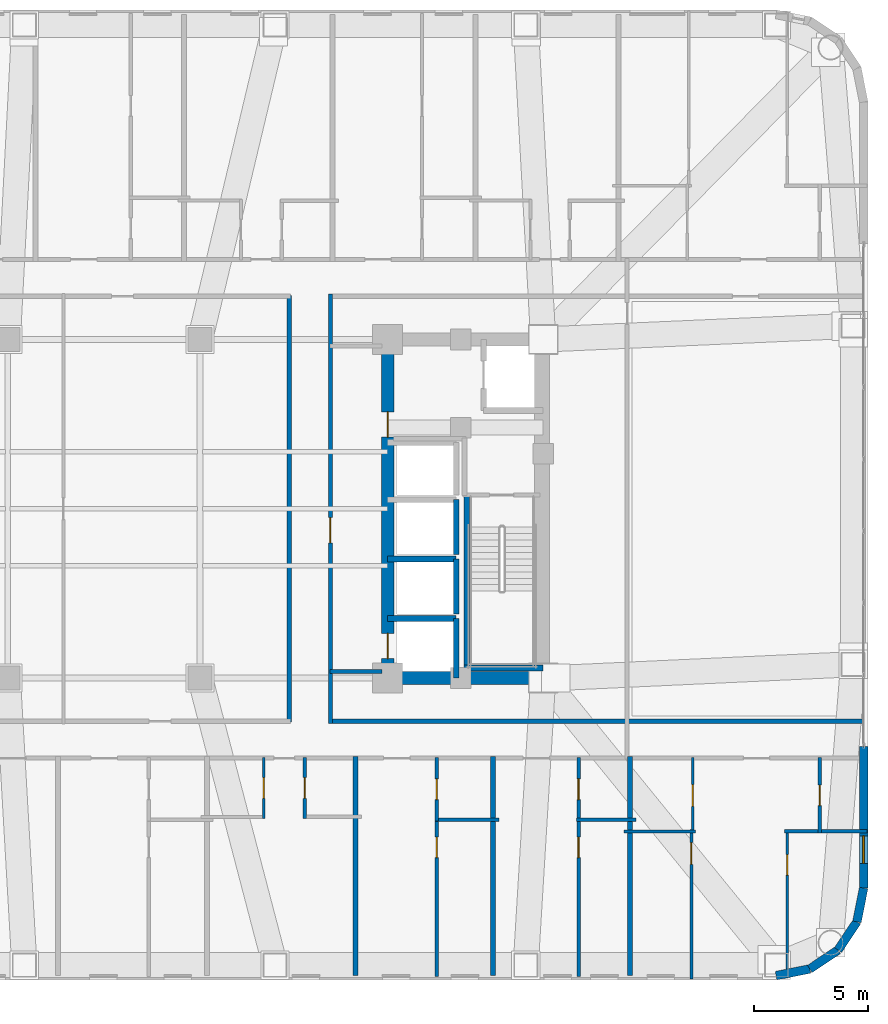
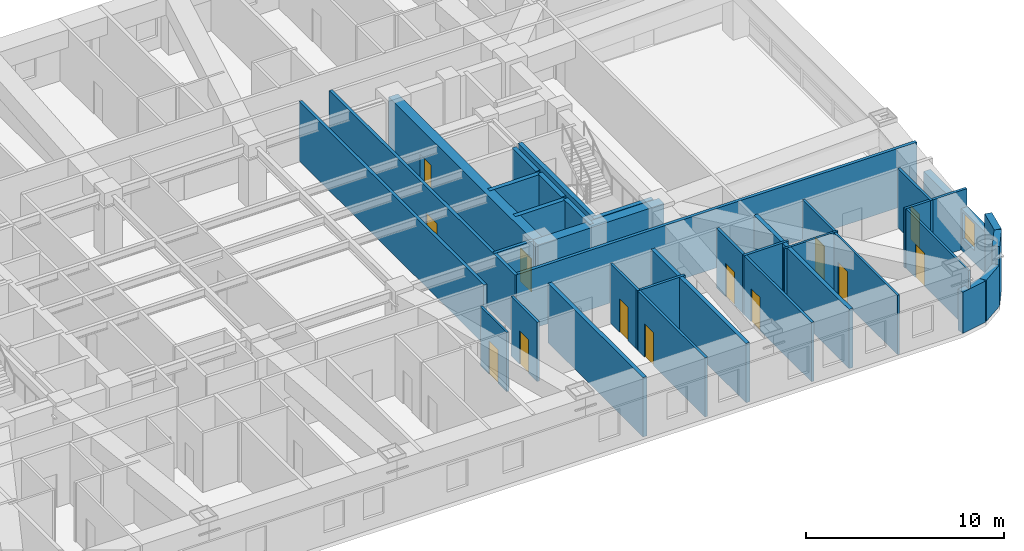
# One storey, part 11 of 16: 35 walls, 13 doors, 1 window, 14 openings.
"""IFC4 building model written with IfcOpenShell, lengths in metres."""

from ifc_helpers import new_model, si_unit, direction, frame, frame_2d, origin, place, context, subcontext, project, spatial, rectangle, extrude, material, layer, layer_set, type_object, element, fill, save


model = new_model("IFC4")

# Units and contexts
model_context = context("Model", 3, precision=1e-05, world=origin(), true_north=direction((0.0, 1.0)))
body_context = subcontext(model_context, "Body", "Model", "MODEL_VIEW")
ifc_project = project(units=[si_unit("LENGTHUNIT", "METRE"), si_unit("AREAUNIT", "SQUARE_METRE"), si_unit("VOLUMEUNIT", "CUBIC_METRE"), si_unit("PLANEANGLEUNIT", "RADIAN"), si_unit("MASSUNIT", "GRAM", prefix="KILO")], contexts=[model_context])

# Site, building, storey
site_placement = place(None, origin())
site = spatial("IfcSite", under=ifc_project, at=site_placement, CompositionType="ELEMENT")
building_placement = place(site_placement, origin())
building = spatial("IfcBuilding", under=site, at=building_placement, Name="Voryun Gate Residences", CompositionType="ELEMENT")
storey_placement = place(building_placement, frame((0.0, 0.0, 89.699951171875)))
storey = spatial("IfcBuildingStorey", under=building, at=storey_placement, Name="L21", CompositionType="ELEMENT", Elevation=89.699951171875)

# Wall
ifc_material_1 = material(Name="Concrete C60/75", Category="concrete")
ifc_layer_1 = layer(ifc_material_1, 0.550048828125, Name="CW_CORE_550")
ifc_layer_set_1 = layer_set([ifc_layer_1], Name="Concrete C60/75")
wall_type_1 = type_object("IfcWallType", Name="CW_CORE_550", PredefinedType="SHEAR", material=ifc_layer_set_1)
wall_1_placement = place(storey_placement, frame((12.125, -7.39990234375, 0.0), z_axis=(0.0, 0.0, 1.0), x_axis=(1.0, 0.0, 0.0)))
element("IfcWall", 1, at=wall_1_placement, inside=storey, type_object=wall_type_1, Name="L21 Core shear wall CW-L21-ES", PredefinedType="SHEAR", context=body_context, shape_type="SweptSolid", body=[
    extrude(rectangle(XDim=7.35009765625, YDim=0.550048828125, at=frame_2d((3.675048828125, 0.0))), origin(), (0.0, 0.0, 1.0), 3.650146484375),
])

# Wall, openings, doors
wall_2_placement = place(storey_placement, frame((12.39990234375, -7.39990234375, 0.0), z_axis=(0.0, 0.0, 1.0), x_axis=(0.0, 1.0, 0.0)))
wall_2 = element("IfcWall", 2, at=wall_2_placement, inside=storey, type_object=wall_type_1, Name="L21 Core shear wall CW-L21-EW", PredefinedType="SHEAR", context=body_context, shape_type="SweptSolid", body=[
    extrude(rectangle(XDim=14.7998046875, YDim=0.550048828125, at=frame_2d((7.39990234375, 0.0))), origin(), (0.0, 0.0, 1.0), 3.650146484375),
])
opening_1_placement = place(wall_2_placement, frame((0.85009765625, 0.0, 0.0)))
opening_1 = element("IfcOpeningElement", 3, at=opening_1_placement, cuts=wall_2, Name="Opening LD2", PredefinedType="OPENING", context=body_context, shape_type="SweptSolid", body=[
    extrude(rectangle(XDim=1.10009765625, YDim=2.050048828125, at=frame_2d((0.550048828125, 1.02490234375))), frame((0.0, 0.284912109375, 0.0), z_axis=(0.0, -1.0, 0.0), x_axis=(1.0, 0.0, 0.0)), (0.0, 0.0, 1.0), 0.570068359375),
])
opening_2_placement = place(wall_2_placement, frame((10.530029296875, 0.0, 0.0)))
opening_2 = element("IfcOpeningElement", 4, at=opening_2_placement, cuts=wall_2, Name="Opening D-FD60-2", PredefinedType="OPENING", context=body_context, shape_type="SweptSolid", body=[
    extrude(rectangle(XDim=1.10009765625, YDim=2.050048828125, at=frame_2d((0.550048828125, 1.02490234375))), frame((0.0, 0.284912109375, 0.0), z_axis=(0.0, -1.0, 0.0), x_axis=(1.0, 0.0, 0.0)), (0.0, 0.0, 1.0), 0.570068359375),
])
ifc_material_2 = material(Name="Painted steel fire door", Category="steel")
door_type_1 = type_object("IfcDoorType", Name="DR_FD60_FFLOB_1100", OperationType="NOTDEFINED", PredefinedType="DOOR", material=ifc_material_2)
door_1_placement = place(opening_2_placement, origin())
door_1 = element("IfcDoor", 5, at=door_1_placement, inside=storey, type_object=door_type_1, Name="Door DR-L21-CLOB-E", OperationType="SINGLE_SWING_RIGHT", OverallHeight=2.050048828125, OverallWidth=1.10009765625, PredefinedType="DOOR", context=body_context, shape_type="SweptSolid", body=[
    extrude(rectangle(XDim=1.10009765625, YDim=2.050048828125, at=frame_2d((0.550048828125, 1.02490234375))), frame((0.0, 0.02490234375, 0.0), z_axis=(0.0, -1.0, 0.0), x_axis=(1.0, 0.0, 0.0)), (0.0, 0.0, 1.0), 0.050048828125),
])
fill(opening_2, door_1)
ifc_material_3 = material(Name="Anodised aluminium", Category="aluminium")
door_type_2 = type_object("IfcDoorType", Name="DR_LD_PASS_1100", OperationType="NOTDEFINED", PredefinedType="DOOR", material=ifc_material_3)
door_2_placement = place(opening_1_placement, origin())
door_2 = element("IfcDoor", 6, at=door_2_placement, inside=storey, type_object=door_type_2, Name="Lift EL-P3 sliding landing door L21", OperationType="SLIDING_TO_LEFT", OverallHeight=2.050048828125, OverallWidth=1.10009765625, PredefinedType="DOOR", context=body_context, shape_type="SweptSolid", body=[
    extrude(rectangle(XDim=1.10009765625, YDim=2.050048828125, at=frame_2d((0.550048828125, 1.02490234375))), frame((0.0, 0.02490234375, 0.0), z_axis=(0.0, -1.0, 0.0), x_axis=(1.0, 0.0, 0.0)), (0.0, 0.0, 1.0), 0.050048828125),
])
fill(opening_1, door_2)

# Wall
ifc_material_4 = material(Name="Gypsum acoustic fireboard")
ifc_layer_2 = layer(ifc_material_4, 0.179931640625, Name="W_CORR_RATED_180")
ifc_layer_set_2 = layer_set([ifc_layer_2], Name="Gypsum acoustic fireboard")
wall_type_2 = type_object("IfcWallType", Name="W_CORR_RATED_180", PredefinedType="PARTITIONING", material=ifc_layer_set_2)
wall_3_placement = place(storey_placement, frame((9.8798828125, -7.1201171875, 0.0), z_axis=(0.0, 0.0, 1.0), x_axis=(1.0, 0.0, 0.0)))
element("IfcWall", 7, at=wall_3_placement, inside=storey, type_object=wall_type_2, Name="Partition wall WP-L21-PLBS-E", PredefinedType="PARTITIONING", context=body_context, shape_type="SweptSolid", body=[
    extrude(rectangle(XDim=2.27001953125, YDim=0.179931640625, at=frame_2d((1.135009765625, 0.0))), origin(), (0.0, 0.0, 1.0), 3.650146484375),
])

# Wall, opening, door
wall_4_placement = place(storey_placement, frame((9.89990234375, -9.3798828125, 0.0), z_axis=(0.0, 0.0, 1.0), x_axis=(0.0, 1.0, 0.0)))
wall_4 = element("IfcWall", 8, at=wall_4_placement, inside=storey, type_object=wall_type_2, Name="Partition wall WP-L21-PLBE-FULL", PredefinedType="PARTITIONING", context=body_context, shape_type="SweptSolid", body=[
    extrude(rectangle(XDim=18.759765625, YDim=0.179931640625, at=frame_2d((9.3798828125, 0.0))), origin(), (0.0, 0.0, 1.0), 3.650146484375),
])
opening_3_placement = place(wall_4_placement, frame((7.89208984375, 0.0, 0.0)))
opening_3 = element("IfcOpeningElement", 9, at=opening_3_placement, cuts=wall_4, Name="Opening D-FD60-2", PredefinedType="OPENING", context=body_context, shape_type="SweptSolid", body=[
    extrude(rectangle(XDim=1.10009765625, YDim=2.050048828125, at=frame_2d((0.550048828125, 1.02490234375))), frame((0.0, 0.099853515625, 0.0), z_axis=(0.0, -1.0, 0.0), x_axis=(1.0, 0.0, 0.0)), (0.0, 0.0, 1.0), 0.199951171875),
])
door_3_placement = place(opening_3_placement, origin())
door_3 = element("IfcDoor", 10, at=door_3_placement, inside=storey, type_object=door_type_1, Name="Door DR-L21-PLBE-COR", OperationType="SINGLE_SWING_RIGHT", OverallHeight=2.050048828125, OverallWidth=1.10009765625, PredefinedType="DOOR", context=body_context, shape_type="SweptSolid", body=[
    extrude(rectangle(XDim=1.10009765625, YDim=2.050048828125, at=frame_2d((0.550048828125, 1.02490234375))), frame((0.0, 0.02490234375, 0.0), z_axis=(0.0, -1.0, 0.0), x_axis=(1.0, 0.0, 0.0)), (0.0, 0.0, 1.0), 0.050048828125),
])
fill(opening_3, door_3)

# Walls
wall_5_placement = place(storey_placement, frame((9.8798828125, -9.2900390625, 0.0), z_axis=(0.0, 0.0, 1.0), x_axis=(1.0, 0.0, 0.0)))
element("IfcWall", 11, at=wall_5_placement, inside=storey, type_object=wall_type_2, Name="Partition wall WP-L21-CWING-ES", PredefinedType="PARTITIONING", context=body_context, shape_type="SweptSolid", body=[
    extrude(rectangle(XDim=23.330078125, YDim=0.179931640625, at=frame_2d((11.6650390625, 0.0))), origin(), (0.0, 0.0, 1.0), 3.650146484375),
])
wall_6_placement = place(storey_placement, frame((8.10009765625, -9.330078125, 0.0), z_axis=(0.0, 0.0, 1.0), x_axis=(0.0, 1.0, 0.0)))
element("IfcWall", 12, at=wall_6_placement, inside=storey, type_object=wall_type_2, Name="Partition wall WP-L21-Z1E", PredefinedType="PARTITIONING", context=body_context, shape_type="SweptSolid", body=[
    extrude(rectangle(XDim=18.66015625, YDim=0.179931640625, at=frame_2d((9.330078125, 0.0))), origin(), (0.0, 0.0, 1.0), 3.650146484375),
])

# Wall, opening, window
ifc_material_5 = material(Name="Granite masonry", Category="masonry")
ifc_layer_3 = layer(ifc_material_5, 0.3798828125, Name="W_EXT_GRANITE_380")
ifc_layer_set_3 = layer_set([ifc_layer_3], Name="Granite masonry")
wall_type_3 = type_object("IfcWallType", Name="W_EXT_GRANITE_380", PredefinedType="ELEMENTEDWALL", material=ifc_layer_set_3)
wall_7_placement = place(storey_placement, frame((33.2099609375, -10.39599609375, 0.0), z_axis=(0.0, 0.0, 1.0), x_axis=(0.0, -1.0, 0.0)))
wall_7 = element("IfcWall", 13, at=wall_7_placement, inside=storey, type_object=wall_type_3, Name="Exterior wall WEXT-L21-16B", PredefinedType="ELEMENTEDWALL", context=body_context, shape_type="SweptSolid", body=[
    extrude(rectangle(XDim=6.185302734375, YDim=0.3798828125, at=frame_2d((3.0927734375, 0.0))), origin(), (0.0, 0.0, 1.0), 2.5400390625),
])
opening_4_placement = place(wall_7_placement, frame((3.900634765625, 0.0, 0.75)))
opening_4 = element("IfcOpeningElement", 14, at=opening_4_placement, cuts=wall_7, Name="Opening WN6", PredefinedType="OPENING", context=body_context, shape_type="SweptSolid", body=[
    extrude(rectangle(XDim=1.199951171875, YDim=1.6298828125, at=frame_2d((0.60009765625, 0.81494140625))), frame((0.0, 0.199951171875, 0.0), z_axis=(0.0, -1.0, 0.0), x_axis=(1.0, 0.0, 0.0)), (0.0, 0.0, 1.0), 0.39990234375),
])
ifc_material_6 = material(Name="Laminated low-E glass", Category="glass")
window_type = type_object("IfcWindowType", Name="WN_POD_SLOT_1200", PartitioningType="SINGLE_PANEL", PredefinedType="WINDOW", material=ifc_material_6)
window_placement = place(opening_4_placement, origin())
window = element("IfcWindow", 15, at=window_placement, inside=storey, type_object=window_type, Name="Window WN-L21-DWFIX-30", OverallHeight=1.6298828125, OverallWidth=1.199951171875, PartitioningType="SINGLE_PANEL", PredefinedType="WINDOW", context=body_context, shape_type="SweptSolid", body=[
    extrude(rectangle(XDim=1.199951171875, YDim=1.6298828125, at=frame_2d((0.60009765625, 0.81494140625))), frame((0.0, 0.030029296875, 0.0), z_axis=(0.0, -1.0, 0.0), x_axis=(1.0, 0.0, 0.0)), (0.0, 0.0, 1.0), 0.06005859375),
])
fill(opening_4, window)

# Walls
wall_8_placement = place(storey_placement, frame((33.2099609375, -16.581298828125, 0.0), z_axis=(0.0, 0.0, 1.0), x_axis=(-0.195086038585, -0.980786132421, 0.0)))
element("IfcWall", 16, at=wall_8_placement, inside=storey, type_object=wall_type_3, Name="Exterior wall WEXT-L21-17", PredefinedType="ELEMENTEDWALL", context=body_context, shape_type="SweptSolid", body=[
    extrude(rectangle(XDim=1.504150390625, YDim=0.3798828125, at=frame_2d((0.751953125, 0.0))), origin(), (0.0, 0.0, 1.0), 3.650146484375),
])
wall_9_placement = place(storey_placement, frame((32.91650390625, -18.056640625, 0.0), z_axis=(0.0, 0.0, 1.0), x_axis=(-0.555610286119, -0.831442848281, 0.0)))
element("IfcWall", 17, at=wall_9_placement, inside=storey, type_object=wall_type_3, Name="Exterior wall WEXT-L21-18", PredefinedType="ELEMENTEDWALL", context=body_context, shape_type="SweptSolid", body=[
    extrude(rectangle(XDim=1.485107421875, YDim=0.3798828125, at=frame_2d((0.74267578125, 0.0))), origin(), (0.0, 0.0, 1.0), 3.650146484375),
])
wall_10_placement = place(storey_placement, frame((32.09130859375, -19.29150390625, 0.0), z_axis=(0.0, 0.0, 1.0), x_axis=(-0.831468045563, -0.555572577804, 0.0)))
element("IfcWall", 18, at=wall_10_placement, inside=storey, type_object=wall_type_3, Name="Exterior wall WEXT-L21-19", PredefinedType="ELEMENTEDWALL", context=body_context, shape_type="SweptSolid", body=[
    extrude(rectangle(XDim=1.48486328125, YDim=0.3798828125, at=frame_2d((0.742431640625, 0.0))), origin(), (0.0, 0.0, 1.0), 2.5400390625),
])
wall_11_placement = place(storey_placement, frame((30.856689453125, -20.116455078125, 0.0), z_axis=(0.0, 0.0, 1.0), x_axis=(-0.980786132421, -0.195086038585, 0.0)))
element("IfcWall", 19, at=wall_11_placement, inside=storey, type_object=wall_type_3, Name="Exterior wall WEXT-L21-20", PredefinedType="ELEMENTEDWALL", context=body_context, shape_type="SweptSolid", body=[
    extrude(rectangle(XDim=1.504150390625, YDim=0.3798828125, at=frame_2d((0.751953125, 0.0))), origin(), (0.0, 0.0, 1.0), 2.5400390625),
])
ifc_material_7 = material(Name="Concrete C40/50", Category="concrete")
ifc_layer_4 = layer(ifc_material_7, 0.219970703125, Name="W_PARTY_ACOUSTIC_220")
ifc_layer_set_4 = layer_set([ifc_layer_4], Name="Concrete C40/50")
wall_type_4 = type_object("IfcWallType", Name="W_PARTY_ACOUSTIC_220", PredefinedType="PARTITIONING", material=ifc_layer_set_4)
for number, where, z_axis, x_axis, name in (
    (20, (11.0, -20.409912109375, 0.0), (0.0, 0.0, 1.0), (0.0, 1.0, 0.0), "Partition wall WP-L21-SPTY-6"),
    (21, (17.0, -20.409912109375, 0.0), (0.0, 0.0, 1.0), (0.0, 1.0, 0.0), "Partition wall WP-L21-SPTY-7"),
    (22, (23.0, -20.409912109375, 0.0), (0.0, 0.0, 1.0), (0.0, 1.0, 0.0), "Partition wall WP-L21-SPTY-8"),
):
    element("IfcWall", number, at=place(storey_placement, frame(where, z_axis=z_axis, x_axis=x_axis)), inside=storey, type_object=wall_type_4, Name=name, PredefinedType="PARTITIONING", context=body_context, shape_type="SweptSolid", body=[
        extrude(rectangle(XDim=9.58984375, YDim=0.219970703125, at=frame_2d((4.794921875, 0.0))), origin(), (0.0, 0.0, 1.0), 3.650146484375),
    ])
ifc_material_8 = material(Name="Concrete C50/60", Category="concrete")
ifc_layer_5 = layer(ifc_material_8, 0.25, Name="W_SHAFT_RC250")
ifc_layer_set_5 = layer_set([ifc_layer_5], Name="Concrete C50/60")
wall_type_5 = type_object("IfcWallType", Name="W_SHAFT_RC250", PredefinedType="SOLIDWALL", material=ifc_layer_set_5)
wall_12_placement = place(storey_placement, frame((15.860107421875, -7.0849609375, 0.0), z_axis=(0.0, 0.0, 1.0), x_axis=(0.0, 1.0, 0.0)))
element("IfcWall", 23, at=wall_12_placement, inside=storey, type_object=wall_type_5, Name="L21 Stair shaft structural wall E-STL", PredefinedType="SOLIDWALL", context=body_context, shape_type="SweptSolid", body=[
    extrude(rectangle(XDim=7.68505859375, YDim=0.25, at=frame_2d((3.842529296875, 0.0))), origin(), (0.0, 0.0, 1.0), 3.650146484375),
])
wall_13_placement = place(storey_placement, frame((15.739990234375, -6.965087890625, 0.0), z_axis=(0.0, 0.0, 1.0), x_axis=(1.0, 0.0, 0.0)))
element("IfcWall", 24, at=wall_13_placement, inside=storey, type_object=wall_type_5, Name="L21 Stair shaft structural wall E-STS", PredefinedType="SOLIDWALL", context=body_context, shape_type="SweptSolid", body=[
    extrude(rectangle(XDim=3.4599609375, YDim=0.25, at=frame_2d((1.72998046875, 0.0))), origin(), (0.0, 0.0, 1.0), 3.650146484375),
])
wall_14_placement = place(storey_placement, frame((15.39990234375, -7.39990234375, 0.0), z_axis=(0.0, 0.0, 1.0), x_axis=(0.0, 1.0, 0.0)))
element("IfcWall", 25, at=wall_14_placement, inside=storey, type_object=wall_type_5, Name="Lift shaft wall WSH-L21-EL-P3-E", PredefinedType="SOLIDWALL", context=body_context, shape_type="SweptSolid", body=[
    extrude(rectangle(XDim=2.599853515625, YDim=0.25, at=frame_2d((1.2998046875, 0.0))), origin(), (0.0, 0.0, 1.0), 3.650146484375),
])
wall_15_placement = place(storey_placement, frame((15.39990234375, -4.800048828125, 0.0), z_axis=(0.0, 0.0, 1.0), x_axis=(-1.0, 0.0, 0.0)))
element("IfcWall", 26, at=wall_15_placement, inside=storey, type_object=wall_type_5, Name="Lift shaft wall WSH-L21-EL-P3-N", PredefinedType="SOLIDWALL", context=body_context, shape_type="SweptSolid", body=[
    extrude(rectangle(XDim=3.0, YDim=0.25, at=frame_2d((1.5, 0.0))), origin(), (0.0, 0.0, 1.0), 3.650146484375),
])
wall_16_placement = place(storey_placement, frame((15.39990234375, -4.60009765625, 0.0), z_axis=(0.0, 0.0, 1.0), x_axis=(0.0, 1.0, 0.0)))
element("IfcWall", 27, at=wall_16_placement, inside=storey, type_object=wall_type_5, Name="Lift shaft wall WSH-L21-EL-P5-E", PredefinedType="SOLIDWALL", context=body_context, shape_type="SweptSolid", body=[
    extrude(rectangle(XDim=2.400146484375, YDim=0.25, at=frame_2d((1.2001953125, 0.0))), origin(), (0.0, 0.0, 1.0), 3.650146484375),
])
wall_17_placement = place(storey_placement, frame((15.39990234375, -2.199951171875, 0.0), z_axis=(0.0, 0.0, 1.0), x_axis=(-1.0, 0.0, 0.0)))
element("IfcWall", 28, at=wall_17_placement, inside=storey, type_object=wall_type_5, Name="Lift shaft wall WSH-L21-EL-P5-N", PredefinedType="SOLIDWALL", context=body_context, shape_type="SweptSolid", body=[
    extrude(rectangle(XDim=3.0, YDim=0.25, at=frame_2d((1.5, 0.0))), origin(), (0.0, 0.0, 1.0), 3.650146484375),
])
wall_18_placement = place(storey_placement, frame((15.39990234375, -2.0, 0.0), z_axis=(0.0, 0.0, 1.0), x_axis=(0.0, 1.0, 0.0)))
element("IfcWall", 29, at=wall_18_placement, inside=storey, type_object=wall_type_5, Name="Lift shaft wall WSH-L21-EL-P6-E", PredefinedType="SOLIDWALL", context=body_context, shape_type="SweptSolid", body=[
    extrude(rectangle(XDim=2.39990234375, YDim=0.25, at=frame_2d((1.199951171875, 0.0))), origin(), (0.0, 0.0, 1.0), 3.650146484375),
])

# Wall, opening, door
ifc_material_9 = material(Name="Gypsum acoustic partition")
ifc_layer_6 = layer(ifc_material_9, 0.125, Name="W_UNIT_PART_125")
ifc_layer_set_6 = layer_set([ifc_layer_6], Name="Gypsum acoustic partition")
wall_type_6 = type_object("IfcWallType", Name="W_UNIT_PART_125", PredefinedType="PARTITIONING", material=ifc_layer_set_6)
wall_19_placement = place(storey_placement, frame((6.98388671875, -13.530029296875, 0.0), z_axis=(0.0, 0.0, 1.0), x_axis=(0.0, 1.0, 0.0)))
wall_19 = element("IfcWall", 30, at=wall_19_placement, inside=storey, type_object=wall_type_6, Name="Partition wall WP-L21-S6-CVK", PredefinedType="PARTITIONING", context=body_context, shape_type="SweptSolid", body=[
    extrude(rectangle(XDim=2.650146484375, YDim=0.125, at=frame_2d((1.3251953125, 0.0))), origin(), (0.0, 0.0, 1.0), 3.650146484375),
])
opening_5_placement = place(wall_19_placement, frame((0.875, 0.0, 0.0)))
opening_5 = element("IfcOpeningElement", 31, at=opening_5_placement, cuts=wall_19, Name="Opening D-INT-2", PredefinedType="OPENING", context=body_context, shape_type="SweptSolid", body=[
    extrude(rectangle(XDim=0.89990234375, YDim=2.050048828125, at=frame_2d((0.449951171875, 1.02490234375))), frame((0.0, 0.072509765625, 0.0), z_axis=(0.0, -1.0, 0.0), x_axis=(1.0, 0.0, 0.0)), (0.0, 0.0, 1.0), 0.14501953125),
])
ifc_material_10 = material(Name="Architectural oak veneer")
door_type_3 = type_object("IfcDoorType", Name="DR_INT_BATH_900", OperationType="NOTDEFINED", PredefinedType="DOOR", material=ifc_material_10)
door_4_placement = place(opening_5_placement, origin())
door_4 = element("IfcDoor", 32, at=door_4_placement, inside=storey, type_object=door_type_3, Name="Door DR-L21-S6-DK", OperationType="SINGLE_SWING_LEFT", OverallHeight=2.050048828125, OverallWidth=0.89990234375, PredefinedType="DOOR", context=body_context, shape_type="SweptSolid", body=[
    extrude(rectangle(XDim=0.89990234375, YDim=2.050048828125, at=frame_2d((0.449951171875, 1.02490234375))), frame((0.0, 0.02490234375, 0.0), z_axis=(0.0, -1.0, 0.0), x_axis=(1.0, 0.0, 0.0)), (0.0, 0.0, 1.0), 0.050048828125),
])
fill(opening_5, door_4)

wall_20_placement = place(storey_placement, frame((25.680908203125, -20.56005859375, 0.0), z_axis=(0.0, 0.0, 1.0), x_axis=(0.0, 1.0, 0.0)))
wall_20 = element("IfcWall", 33, at=wall_20_placement, inside=storey, type_object=wall_type_6, Name="Partition wall WP-L21-S9-OVL", PredefinedType="PARTITIONING", context=body_context, shape_type="SweptSolid", body=[
    extrude(rectangle(XDim=6.5380859375, YDim=0.125, at=frame_2d((3.26904296875, 0.0))), origin(), (0.0, 0.0, 1.0), 3.650146484375),
])
opening_6_placement = place(wall_20_placement, frame((5.016845703125, 0.0, 0.0)))
opening_6 = element("IfcOpeningElement", 34, at=opening_6_placement, cuts=wall_20, Name="Opening D-INT-1", PredefinedType="OPENING", context=body_context, shape_type="SweptSolid", body=[
    extrude(rectangle(XDim=0.949951171875, YDim=2.050048828125, at=frame_2d((0.47509765625, 1.02490234375))), frame((0.0, 0.072509765625, 0.0), z_axis=(0.0, -1.0, 0.0), x_axis=(1.0, 0.0, 0.0)), (0.0, 0.0, 1.0), 0.14501953125),
])
ifc_material_11 = material(Name="Architectural oak veneer")
door_type_4 = type_object("IfcDoorType", Name="DR_INT_ROOM_950", OperationType="NOTDEFINED", PredefinedType="DOOR", material=ifc_material_11)
door_5_placement = place(opening_6_placement, origin())
door_5 = element("IfcDoor", 35, at=door_5_placement, inside=storey, type_object=door_type_4, Name="Door DR-L21-S9-DB2", OperationType="SINGLE_SWING_LEFT", OverallHeight=2.050048828125, OverallWidth=0.949951171875, PredefinedType="DOOR", context=body_context, shape_type="SweptSolid", body=[
    extrude(rectangle(XDim=0.949951171875, YDim=2.050048828125, at=frame_2d((0.47509765625, 1.02490234375))), frame((0.0, 0.02490234375, 0.0), z_axis=(0.0, -1.0, 0.0), x_axis=(1.0, 0.0, 0.0)), (0.0, 0.0, 1.0), 0.050048828125),
])
fill(opening_6, door_5)

wall_21_placement = place(storey_placement, frame((29.867919921875, -20.466064453125, 0.0), z_axis=(0.0, 0.0, 1.0), x_axis=(0.0, 1.0, 0.0)))
wall_21 = element("IfcWall", 36, at=wall_21_placement, inside=storey, type_object=wall_type_6, Name="Partition wall WP-L21-S9-OVR", PredefinedType="PARTITIONING", context=body_context, shape_type="SweptSolid", body=[
    extrude(rectangle(XDim=6.444091796875, YDim=0.125, at=frame_2d((3.22216796875, 0.0))), origin(), (0.0, 0.0, 1.0), 3.650146484375),
])
opening_7_placement = place(wall_21_placement, frame((4.447509765625, 0.0, 0.0)))
opening_7 = element("IfcOpeningElement", 37, at=opening_7_placement, cuts=wall_21, Name="Opening D-INT-2", PredefinedType="OPENING", context=body_context, shape_type="SweptSolid", body=[
    extrude(rectangle(XDim=0.89990234375, YDim=2.050048828125, at=frame_2d((0.449951171875, 1.02490234375))), frame((0.0, 0.072509765625, 0.0), z_axis=(0.0, -1.0, 0.0), x_axis=(1.0, 0.0, 0.0)), (0.0, 0.0, 1.0), 0.14501953125),
])
door_6_placement = place(opening_7_placement, origin())
door_6 = element("IfcDoor", 38, at=door_6_placement, inside=storey, type_object=door_type_3, Name="Door DR-L21-S9-DMB", OperationType="SINGLE_SWING_RIGHT", OverallHeight=2.050048828125, OverallWidth=0.89990234375, PredefinedType="DOOR", context=body_context, shape_type="SweptSolid", body=[
    extrude(rectangle(XDim=0.89990234375, YDim=2.050048828125, at=frame_2d((0.449951171875, 1.02490234375))), frame((0.0, 0.02490234375, 0.0), z_axis=(0.0, -1.0, 0.0), x_axis=(1.0, 0.0, 0.0)), (0.0, 0.0, 1.0), 0.050048828125),
])
fill(opening_7, door_6)

wall_22_placement = place(storey_placement, frame((25.741943359375, -14.181884765625, 0.0), z_axis=(0.0, 0.0, 1.0), x_axis=(0.0, 1.0, 0.0)))
wall_22 = element("IfcWall", 39, at=wall_22_placement, inside=storey, type_object=wall_type_6, Name="Partition wall WP-L21-S9-IVK", PredefinedType="PARTITIONING", context=body_context, shape_type="SweptSolid", body=[
    extrude(rectangle(XDim=3.302001953125, YDim=0.125, at=frame_2d((1.65087890625, 0.0))), origin(), (0.0, 0.0, 1.0), 3.650146484375),
])
opening_8_placement = place(wall_22_placement, frame((1.176025390625, 0.0, 0.0)))
opening_8 = element("IfcOpeningElement", 40, at=opening_8_placement, cuts=wall_22, Name="Opening D-INT-1", PredefinedType="OPENING", context=body_context, shape_type="SweptSolid", body=[
    extrude(rectangle(XDim=0.949951171875, YDim=2.050048828125, at=frame_2d((0.47509765625, 1.02490234375))), frame((0.0, 0.072509765625, 0.0), z_axis=(0.0, -1.0, 0.0), x_axis=(1.0, 0.0, 0.0)), (0.0, 0.0, 1.0), 0.14501953125),
])
door_7_placement = place(opening_8_placement, origin())
door_7 = element("IfcDoor", 41, at=door_7_placement, inside=storey, type_object=door_type_4, Name="Door DR-L21-S9-DK", OperationType="SINGLE_SWING_LEFT", OverallHeight=2.050048828125, OverallWidth=0.949951171875, PredefinedType="DOOR", context=body_context, shape_type="SweptSolid", body=[
    extrude(rectangle(XDim=0.949951171875, YDim=2.050048828125, at=frame_2d((0.47509765625, 1.02490234375))), frame((0.0, 0.02490234375, 0.0), z_axis=(0.0, -1.0, 0.0), x_axis=(1.0, 0.0, 0.0)), (0.0, 0.0, 1.0), 0.050048828125),
])
fill(opening_8, door_7)

# Wall
wall_23_placement = place(storey_placement, frame((22.739990234375, -14.10205078125, 0.0), z_axis=(0.0, 0.0, 1.0), x_axis=(1.0, 0.0, 0.0)))
element("IfcWall", 42, at=wall_23_placement, inside=storey, type_object=wall_type_6, Name="Partition wall WP-L21-S9-HZK", PredefinedType="PARTITIONING", context=body_context, shape_type="SweptSolid", body=[
    extrude(rectangle(XDim=3.1220703125, YDim=0.125, at=frame_2d((1.56103515625, 0.0))), origin(), (0.0, 0.0, 1.0), 3.650146484375),
])

# Wall, opening, door
ifc_material_12 = material(Name="Gypsum moisture-resistant partition")
ifc_layer_7 = layer(ifc_material_12, 0.14990234375, Name="W_WET_PLUMB_150")
ifc_layer_set_7 = layer_set([ifc_layer_7], Name="Gypsum moisture-resistant partition")
wall_type_7 = type_object("IfcWallType", Name="W_WET_PLUMB_150", PredefinedType="PLUMBINGWALL", material=ifc_layer_set_7)
wall_24_placement = place(storey_placement, frame((8.77099609375, -13.530029296875, 0.0), z_axis=(0.0, 0.0, 1.0), x_axis=(0.0, 1.0, 0.0)))
wall_24 = element("IfcWall", 43, at=wall_24_placement, inside=storey, type_object=wall_type_7, Name="Partition wall WP-L21-S6-CVB", PredefinedType="PLUMBINGWALL", context=body_context, shape_type="SweptSolid", body=[
    extrude(rectangle(XDim=2.650146484375, YDim=0.14990234375, at=frame_2d((1.3251953125, 0.0))), origin(), (0.0, 0.0, 1.0), 3.650146484375),
])
opening_9_placement = place(wall_24_placement, frame((0.875, 0.0, 0.0)))
opening_9 = element("IfcOpeningElement", 44, at=opening_9_placement, cuts=wall_24, Name="Opening D-INT-2", PredefinedType="OPENING", context=body_context, shape_type="SweptSolid", body=[
    extrude(rectangle(XDim=0.89990234375, YDim=2.050048828125, at=frame_2d((0.449951171875, 1.02490234375))), frame((0.0, 0.0849609375, 0.0), z_axis=(0.0, -1.0, 0.0), x_axis=(1.0, 0.0, 0.0)), (0.0, 0.0, 1.0), 0.169921875),
])
door_8_placement = place(opening_9_placement, origin())
door_8 = element("IfcDoor", 45, at=door_8_placement, inside=storey, type_object=door_type_3, Name="Door DR-L21-S6-DB", OperationType="SINGLE_SWING_RIGHT", OverallHeight=2.050048828125, OverallWidth=0.89990234375, PredefinedType="DOOR", context=body_context, shape_type="SweptSolid", body=[
    extrude(rectangle(XDim=0.89990234375, YDim=2.050048828125, at=frame_2d((0.449951171875, 1.02490234375))), frame((0.0, 0.02490234375, 0.0), z_axis=(0.0, -1.0, 0.0), x_axis=(1.0, 0.0, 0.0)), (0.0, 0.0, 1.0), 0.050048828125),
])
fill(opening_9, door_8)

# Wall
wall_25_placement = place(storey_placement, frame((14.467041015625, -13.60009765625, 0.0), z_axis=(0.0, 0.0, 1.0), x_axis=(1.0, 0.0, 0.0)))
element("IfcWall", 46, at=wall_25_placement, inside=storey, type_object=wall_type_7, Name="Partition wall WP-L21-S7-SKB", PredefinedType="PLUMBINGWALL", context=body_context, shape_type="SweptSolid", body=[
    extrude(rectangle(XDim=2.79296875, YDim=0.14990234375, at=frame_2d((1.396484375, 0.0))), origin(), (0.0, 0.0, 1.0), 3.650146484375),
])

# Wall, opening, door
wall_26_placement = place(storey_placement, frame((14.547119140625, -20.45751953125, 0.0), z_axis=(0.0, 0.0, 1.0), x_axis=(0.0, 1.0, 0.0)))
wall_26 = element("IfcWall", 47, at=wall_26_placement, inside=storey, type_object=wall_type_7, Name="Partition wall WP-L21-S7-SVT1", PredefinedType="PLUMBINGWALL", context=body_context, shape_type="SweptSolid", body=[
    extrude(rectangle(XDim=6.8974609375, YDim=0.14990234375, at=frame_2d((3.44873046875, 0.0))), origin(), (0.0, 0.0, 1.0), 3.650146484375),
])
opening_10_placement = place(wall_26_placement, frame((5.2060546875, 0.0, 0.0)))
opening_10 = element("IfcOpeningElement", 48, at=opening_10_placement, cuts=wall_26, Name="Opening D-INT-2", PredefinedType="OPENING", context=body_context, shape_type="SweptSolid", body=[
    extrude(rectangle(XDim=0.89990234375, YDim=2.050048828125, at=frame_2d((0.449951171875, 1.02490234375))), frame((0.0, 0.0849609375, 0.0), z_axis=(0.0, -1.0, 0.0), x_axis=(1.0, 0.0, 0.0)), (0.0, 0.0, 1.0), 0.169921875),
])
door_9_placement = place(opening_10_placement, origin())
door_9 = element("IfcDoor", 49, at=door_9_placement, inside=storey, type_object=door_type_3, Name="Door DR-L21-S7-DK", OperationType="SINGLE_SWING_LEFT", OverallHeight=2.050048828125, OverallWidth=0.89990234375, PredefinedType="DOOR", context=body_context, shape_type="SweptSolid", body=[
    extrude(rectangle(XDim=0.89990234375, YDim=2.050048828125, at=frame_2d((0.449951171875, 1.02490234375))), frame((0.0, 0.02490234375, 0.0), z_axis=(0.0, -1.0, 0.0), x_axis=(1.0, 0.0, 0.0)), (0.0, 0.0, 1.0), 0.050048828125),
])
fill(opening_10, door_9)

wall_27_placement = place(storey_placement, frame((14.547119140625, -13.639892578125, 0.0), z_axis=(0.0, 0.0, 1.0), x_axis=(0.0, 1.0, 0.0)))
wall_27 = element("IfcWall", 50, at=wall_27_placement, inside=storey, type_object=wall_type_7, Name="Partition wall WP-L21-S7-SVT2", PredefinedType="PLUMBINGWALL", context=body_context, shape_type="SweptSolid", body=[
    extrude(rectangle(XDim=2.760009765625, YDim=0.14990234375, at=frame_2d((1.3798828125, 0.0))), origin(), (0.0, 0.0, 1.0), 3.650146484375),
])
opening_11_placement = place(wall_27_placement, frame((0.929931640625, 0.0, 0.0)))
opening_11 = element("IfcOpeningElement", 51, at=opening_11_placement, cuts=wall_27, Name="Opening D-INT-2", PredefinedType="OPENING", context=body_context, shape_type="SweptSolid", body=[
    extrude(rectangle(XDim=0.89990234375, YDim=2.050048828125, at=frame_2d((0.449951171875, 1.02490234375))), frame((0.0, 0.0849609375, 0.0), z_axis=(0.0, -1.0, 0.0), x_axis=(1.0, 0.0, 0.0)), (0.0, 0.0, 1.0), 0.169921875),
])
door_10_placement = place(opening_11_placement, origin())
door_10 = element("IfcDoor", 52, at=door_10_placement, inside=storey, type_object=door_type_3, Name="Door DR-L21-S7-DB", OperationType="SINGLE_SWING_RIGHT", OverallHeight=2.050048828125, OverallWidth=0.89990234375, PredefinedType="DOOR", context=body_context, shape_type="SweptSolid", body=[
    extrude(rectangle(XDim=0.89990234375, YDim=2.050048828125, at=frame_2d((0.449951171875, 1.02490234375))), frame((0.0, 0.02490234375, 0.0), z_axis=(0.0, -1.0, 0.0), x_axis=(1.0, 0.0, 0.0)), (0.0, 0.0, 1.0), 0.050048828125),
])
fill(opening_11, door_10)

# Wall
wall_28_placement = place(storey_placement, frame((20.6669921875, -13.60009765625, 0.0), z_axis=(0.0, 0.0, 1.0), x_axis=(1.0, 0.0, 0.0)))
element("IfcWall", 53, at=wall_28_placement, inside=storey, type_object=wall_type_7, Name="Partition wall WP-L21-S8-SKB", PredefinedType="PLUMBINGWALL", context=body_context, shape_type="SweptSolid", body=[
    extrude(rectangle(XDim=2.593017578125, YDim=0.14990234375, at=frame_2d((1.29638671875, 0.0))), origin(), (0.0, 0.0, 1.0), 3.650146484375),
])

# Wall, opening, door
wall_29_placement = place(storey_placement, frame((20.7470703125, -20.45751953125, 0.0), z_axis=(0.0, 0.0, 1.0), x_axis=(0.0, 1.0, 0.0)))
wall_29 = element("IfcWall", 54, at=wall_29_placement, inside=storey, type_object=wall_type_7, Name="Partition wall WP-L21-S8-SVT1", PredefinedType="PLUMBINGWALL", context=body_context, shape_type="SweptSolid", body=[
    extrude(rectangle(XDim=6.8974609375, YDim=0.14990234375, at=frame_2d((3.44873046875, 0.0))), origin(), (0.0, 0.0, 1.0), 3.650146484375),
])
opening_12_placement = place(wall_29_placement, frame((5.2060546875, 0.0, 0.0)))
opening_12 = element("IfcOpeningElement", 55, at=opening_12_placement, cuts=wall_29, Name="Opening D-INT-2", PredefinedType="OPENING", context=body_context, shape_type="SweptSolid", body=[
    extrude(rectangle(XDim=0.89990234375, YDim=2.050048828125, at=frame_2d((0.449951171875, 1.02490234375))), frame((0.0, 0.0849609375, 0.0), z_axis=(0.0, -1.0, 0.0), x_axis=(1.0, 0.0, 0.0)), (0.0, 0.0, 1.0), 0.169921875),
])
door_11_placement = place(opening_12_placement, origin())
door_11 = element("IfcDoor", 56, at=door_11_placement, inside=storey, type_object=door_type_3, Name="Door DR-L21-S8-DK", OperationType="SINGLE_SWING_LEFT", OverallHeight=2.050048828125, OverallWidth=0.89990234375, PredefinedType="DOOR", context=body_context, shape_type="SweptSolid", body=[
    extrude(rectangle(XDim=0.89990234375, YDim=2.050048828125, at=frame_2d((0.449951171875, 1.02490234375))), frame((0.0, 0.02490234375, 0.0), z_axis=(0.0, -1.0, 0.0), x_axis=(1.0, 0.0, 0.0)), (0.0, 0.0, 1.0), 0.050048828125),
])
fill(opening_12, door_11)

wall_30_placement = place(storey_placement, frame((20.7470703125, -13.639892578125, 0.0), z_axis=(0.0, 0.0, 1.0), x_axis=(0.0, 1.0, 0.0)))
wall_30 = element("IfcWall", 57, at=wall_30_placement, inside=storey, type_object=wall_type_7, Name="Partition wall WP-L21-S8-SVT2", PredefinedType="PLUMBINGWALL", context=body_context, shape_type="SweptSolid", body=[
    extrude(rectangle(XDim=2.760009765625, YDim=0.14990234375, at=frame_2d((1.3798828125, 0.0))), origin(), (0.0, 0.0, 1.0), 3.650146484375),
])
opening_13_placement = place(wall_30_placement, frame((0.929931640625, 0.0, 0.0)))
opening_13 = element("IfcOpeningElement", 58, at=opening_13_placement, cuts=wall_30, Name="Opening D-INT-2", PredefinedType="OPENING", context=body_context, shape_type="SweptSolid", body=[
    extrude(rectangle(XDim=0.89990234375, YDim=2.050048828125, at=frame_2d((0.449951171875, 1.02490234375))), frame((0.0, 0.0849609375, 0.0), z_axis=(0.0, -1.0, 0.0), x_axis=(1.0, 0.0, 0.0)), (0.0, 0.0, 1.0), 0.169921875),
])
door_12_placement = place(opening_13_placement, origin())
door_12 = element("IfcDoor", 59, at=door_12_placement, inside=storey, type_object=door_type_3, Name="Door DR-L21-S8-DB", OperationType="SINGLE_SWING_RIGHT", OverallHeight=2.050048828125, OverallWidth=0.89990234375, PredefinedType="DOOR", context=body_context, shape_type="SweptSolid", body=[
    extrude(rectangle(XDim=0.89990234375, YDim=2.050048828125, at=frame_2d((0.449951171875, 1.02490234375))), frame((0.0, 0.02490234375, 0.0), z_axis=(0.0, -1.0, 0.0), x_axis=(1.0, 0.0, 0.0)), (0.0, 0.0, 1.0), 0.050048828125),
])
fill(opening_13, door_12)

# Wall
wall_31_placement = place(storey_placement, frame((29.748046875, -14.10205078125, 0.0), z_axis=(0.0, 0.0, 1.0), x_axis=(1.0, 0.0, 0.0)))
element("IfcWall", 60, at=wall_31_placement, inside=storey, type_object=wall_type_7, Name="Partition wall WP-L21-S9-HZB", PredefinedType="PLUMBINGWALL", context=body_context, shape_type="SweptSolid", body=[
    extrude(rectangle(XDim=3.612060546875, YDim=0.14990234375, at=frame_2d((1.80615234375, 0.0))), origin(), (0.0, 0.0, 1.0), 3.650146484375),
])

# Wall, opening, door
wall_32_placement = place(storey_placement, frame((31.298095703125, -14.181884765625, 0.0), z_axis=(0.0, 0.0, 1.0), x_axis=(0.0, 1.0, 0.0)))
wall_32 = element("IfcWall", 61, at=wall_32_placement, inside=storey, type_object=wall_type_7, Name="Partition wall WP-L21-S9-IVB", PredefinedType="PLUMBINGWALL", context=body_context, shape_type="SweptSolid", body=[
    extrude(rectangle(XDim=3.302001953125, YDim=0.14990234375, at=frame_2d((1.65087890625, 0.0))), origin(), (0.0, 0.0, 1.0), 3.650146484375),
])
opening_14_placement = place(wall_32_placement, frame((1.200927734375, 0.0, 0.0)))
opening_14 = element("IfcOpeningElement", 62, at=opening_14_placement, cuts=wall_32, Name="Opening D-INT-2", PredefinedType="OPENING", context=body_context, shape_type="SweptSolid", body=[
    extrude(rectangle(XDim=0.89990234375, YDim=2.050048828125, at=frame_2d((0.449951171875, 1.02490234375))), frame((0.0, 0.0849609375, 0.0), z_axis=(0.0, -1.0, 0.0), x_axis=(1.0, 0.0, 0.0)), (0.0, 0.0, 1.0), 0.169921875),
])
door_13_placement = place(opening_14_placement, origin())
door_13 = element("IfcDoor", 63, at=door_13_placement, inside=storey, type_object=door_type_3, Name="Door DR-L21-S9-DB", OperationType="SINGLE_SWING_RIGHT", OverallHeight=2.050048828125, OverallWidth=0.89990234375, PredefinedType="DOOR", context=body_context, shape_type="SweptSolid", body=[
    extrude(rectangle(XDim=0.89990234375, YDim=2.050048828125, at=frame_2d((0.449951171875, 1.02490234375))), frame((0.0, 0.02490234375, 0.0), z_axis=(0.0, -1.0, 0.0), x_axis=(1.0, 0.0, 0.0)), (0.0, 0.0, 1.0), 0.050048828125),
])
fill(opening_14, door_13)

save(model, "model.ifc")
